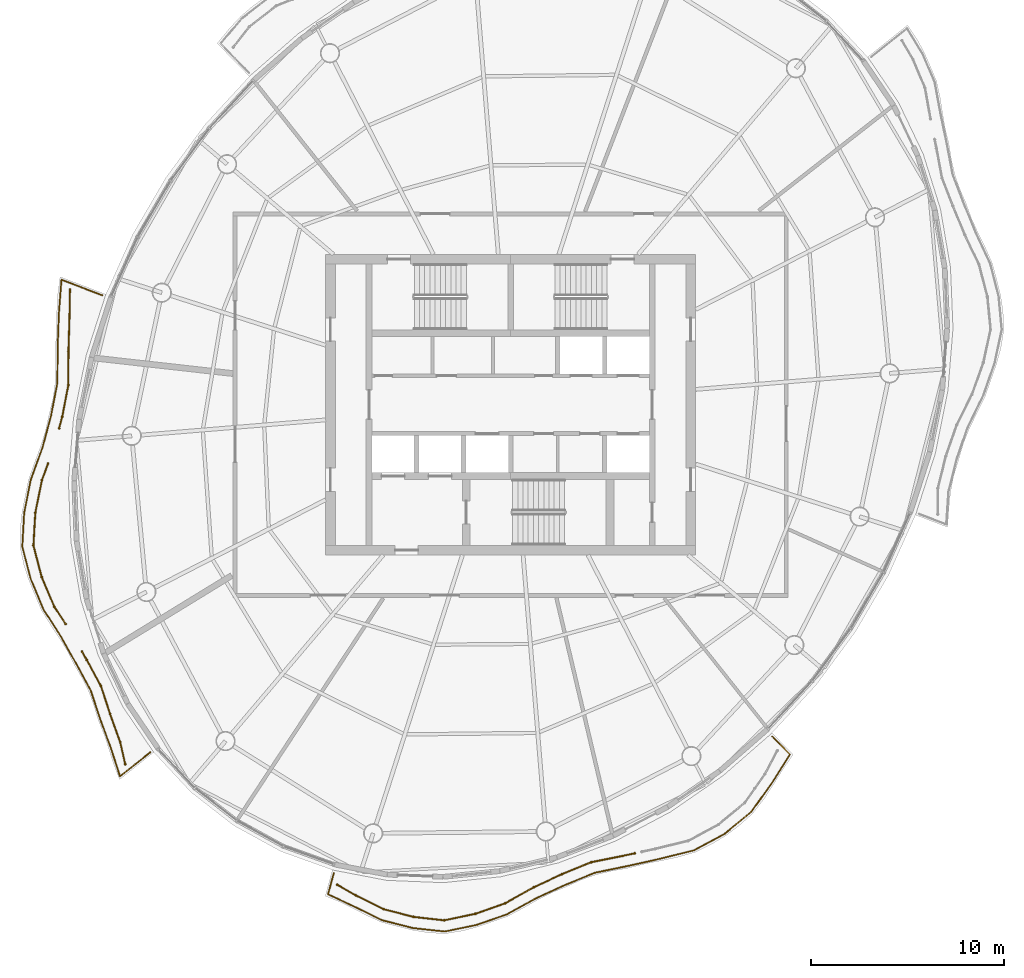
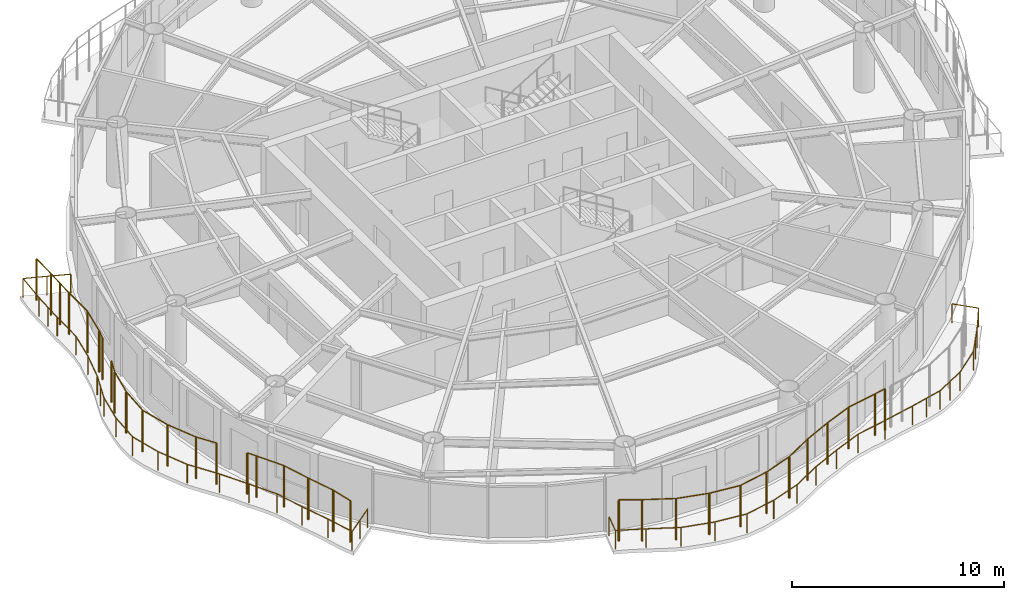
# One storey, part 12 of 15: 6 railings.
"""IFC4 building model written with IfcOpenShell, lengths in metres."""

from ifc_helpers import new_model, si_unit, direction, frame, origin, origin_2d, place, context, subcontext, project, spatial, circle, extrude, material, type_object, element, save


model = new_model("IFC4")

# Units and contexts
model_context = context("Model", 3, precision=1e-05, world=origin(), true_north=direction((0.0, 1.0)))
body_context = subcontext(model_context, "Body", "Model", "MODEL_VIEW")
ifc_project = project(units=[si_unit("LENGTHUNIT", "METRE"), si_unit("AREAUNIT", "SQUARE_METRE"), si_unit("VOLUMEUNIT", "CUBIC_METRE"), si_unit("PLANEANGLEUNIT", "RADIAN"), si_unit("MASSUNIT", "GRAM", prefix="KILO")], contexts=[model_context])

# Site, building, storey
site_placement = place(None, origin())
site = spatial("IfcSite", under=ifc_project, at=site_placement, CompositionType="ELEMENT")
building_placement = place(site_placement, origin())
building = spatial("IfcBuilding", under=site, at=building_placement, Name="Vermilion Reach Broadcast Tower", CompositionType="ELEMENT")
storey_placement = place(building_placement, frame((0.0, 0.0, 261.300048828125)))
storey = spatial("IfcBuildingStorey", under=building, at=storey_placement, Name="L64", CompositionType="ELEMENT", Elevation=261.300048828125)

# Railings
ifc_material_1 = material(Name="Terracotta baguette", Category="masonry")
railing_type_1 = type_object("IfcRailingType", Name="BAGUETTE SCREEN", PredefinedType="USERDEFINED", material=ifc_material_1)
railing_1_placement = place(storey_placement, frame((-28.8701171875, 5.960693359375, 0.0)))
element("IfcRailing", 1, at=railing_1_placement, inside=storey, type_object=railing_type_1, Name="Baguette screen L64 group 2 part 1", ObjectType="BAGUETTE SCREEN", PredefinedType="USERDEFINED", context=body_context, shape_type="SweptSolid", body=[
    extrude(circle(Radius=0.030029296875, at=origin_2d()), frame((0.0, 0.0, 2.369873046875), z_axis=(-0.017190441908, -0.999852233436, 0.0), x_axis=(0.999852233436, -0.017190441908, 0.0)), (0.0, 0.0, 1.0), 1.391845703125),
    extrude(circle(Radius=0.030029296875, at=origin_2d()), frame((-0.02392578125, -1.3916015625, 2.369873046875), z_axis=(-0.030850341871, -0.999524014922, 0.0), x_axis=(0.999524014922, -0.030850341871, 0.0)), (0.0, 0.0, 1.0), 1.804443359375),
    extrude(circle(Radius=0.030029296875, at=origin_2d()), frame((-0.07958984375, -3.195068359375, 2.369873046875), z_axis=(-0.002384284948, -0.999997157589, 0.0), x_axis=(0.999997157589, -0.002384284948, 0.0)), (0.0, 0.0, 1.0), 1.74072265625),
    extrude(circle(Radius=0.030029296875, at=origin_2d()), frame((-0.083740234375, -4.935791015625, 2.369873046875), z_axis=(-0.189077934073, -0.98196208422, 0.0), x_axis=(0.98196208422, -0.189077934073, 0.0)), (0.0, 0.0, 1.0), 1.68896484375),
    extrude(circle(Radius=0.030029296875, at=origin_2d()), frame((-0.403076171875, -6.59423828125, 2.369873046875), z_axis=(-0.260499547419, -0.965473969506, 0.0), x_axis=(0.965473969506, -0.260499547419, 0.0)), (0.0, 0.0, 1.0), 0.61572265625),
    extrude(circle(Radius=0.050048828125, at=origin_2d()), origin(), (0.0, 0.0, 1.0), 2.33984375),
    extrude(circle(Radius=0.050048828125, at=origin_2d()), frame((-0.02392578125, -1.3916015625, 0.0)), (0.0, 0.0, 1.0), 2.33984375),
    extrude(circle(Radius=0.050048828125, at=origin_2d()), frame((-0.0517578125, -2.29345703125, 0.0)), (0.0, 0.0, 1.0), 2.33984375),
    extrude(circle(Radius=0.050048828125, at=origin_2d()), frame((-0.07958984375, -3.195068359375, 0.0)), (0.0, 0.0, 1.0), 2.33984375),
    extrude(circle(Radius=0.050048828125, at=origin_2d()), frame((-0.083740234375, -4.935791015625, 0.0)), (0.0, 0.0, 1.0), 2.33984375),
    extrude(circle(Radius=0.050048828125, at=origin_2d()), frame((-0.403076171875, -6.59423828125, 0.0)), (0.0, 0.0, 1.0), 2.33984375),
    extrude(circle(Radius=0.050048828125, at=origin_2d()), frame((-0.5634765625, -7.188720703125, 0.0)), (0.0, 0.0, 1.0), 2.33984375),
])
railing_2_placement = place(storey_placement, frame((-30.009033203125, -3.06005859375, 0.0)))
element("IfcRailing", 2, at=railing_2_placement, inside=storey, type_object=railing_type_1, Name="Baguette screen L64 group 2 part 2", ObjectType="BAGUETTE SCREEN", PredefinedType="USERDEFINED", context=body_context, shape_type="SweptSolid", body=[
    extrude(circle(Radius=0.030029296875, at=origin_2d()), frame((0.0, 0.0, 2.369873046875), z_axis=(-0.347297007234, -0.937755185945, 0.0), x_axis=(0.937755185945, -0.347297007234, 0.0)), (0.0, 0.0, 1.0), 0.916748046875),
    extrude(circle(Radius=0.030029296875, at=origin_2d()), frame((-0.318359375, -0.859619140625, 2.369873046875), z_axis=(-0.198904178255, -0.980018942609, 0.0), x_axis=(0.980018942609, -0.198904178255, 0.0)), (0.0, 0.0, 1.0), 1.71728515625),
    extrude(circle(Radius=0.030029296875, at=origin_2d()), frame((-0.659912109375, -2.54248046875, 2.369873046875), z_axis=(-0.057163177493, -0.99836484871, 0.0), x_axis=(0.99836484871, -0.057163177493, 0.0)), (0.0, 0.0, 1.0), 1.716796875),
    extrude(circle(Radius=0.030029296875, at=origin_2d()), frame((-0.758056640625, -4.256591796875, 2.369873046875), z_axis=(0.25489499952, -0.966968737457, 0.0), x_axis=(0.966968737457, 0.25489499952, 0.0)), (0.0, 0.0, 1.0), 1.67529296875),
    extrude(circle(Radius=0.030029296875, at=origin_2d()), frame((-0.3310546875, -5.87646484375, 2.369873046875), z_axis=(0.390207352593, -0.920727007306, 0.0), x_axis=(0.920727007306, 0.390207352593, 0.0)), (0.0, 0.0, 1.0), 1.684326171875),
    extrude(circle(Radius=0.030029296875, at=origin_2d()), frame((0.326171875, -7.42724609375, 2.369873046875), z_axis=(0.547427275219, -0.836853259746, 0.0), x_axis=(0.836853259746, 0.547427275219, 0.0)), (0.0, 0.0, 1.0), 1.072021484375),
    extrude(circle(Radius=0.050048828125, at=origin_2d()), origin(), (0.0, 0.0, 1.0), 2.33984375),
    extrude(circle(Radius=0.050048828125, at=origin_2d()), frame((-0.318359375, -0.859619140625, 0.0)), (0.0, 0.0, 1.0), 2.33984375),
    extrude(circle(Radius=0.050048828125, at=origin_2d()), frame((-0.659912109375, -2.54248046875, 0.0)), (0.0, 0.0, 1.0), 2.33984375),
    extrude(circle(Radius=0.050048828125, at=origin_2d()), frame((-0.758056640625, -4.256591796875, 0.0)), (0.0, 0.0, 1.0), 2.33984375),
    extrude(circle(Radius=0.050048828125, at=origin_2d()), frame((-0.3310546875, -5.87646484375, 0.0)), (0.0, 0.0, 1.0), 2.33984375),
    extrude(circle(Radius=0.050048828125, at=origin_2d()), frame((0.326171875, -7.42724609375, 0.0)), (0.0, 0.0, 1.0), 2.33984375),
    extrude(circle(Radius=0.050048828125, at=origin_2d()), frame((0.9130859375, -8.324462890625, 0.0)), (0.0, 0.0, 1.0), 2.33984375),
])
railing_3_placement = place(storey_placement, frame((-28.24560546875, -12.812255859375, 0.0)))
element("IfcRailing", 3, at=railing_3_placement, inside=storey, type_object=railing_type_1, Name="Baguette screen L64 group 2 part 3", ObjectType="BAGUETTE SCREEN", PredefinedType="USERDEFINED", context=body_context, shape_type="SweptSolid", body=[
    extrude(circle(Radius=0.030029296875, at=origin_2d()), frame((0.0, 0.0, 2.369873046875), z_axis=(0.491600217118, -0.870821007171, 0.0), x_axis=(0.870821007171, 0.491600217118, 0.0)), (0.0, 0.0, 1.0), 0.510498046875),
    extrude(circle(Radius=0.030029296875, at=origin_2d()), frame((0.2509765625, -0.444580078125, 2.369873046875), z_axis=(0.478660093693, -0.878000293113, 0.0), x_axis=(0.878000293113, 0.478660093693, 0.0)), (0.0, 0.0, 1.0), 1.514404296875),
    extrude(circle(Radius=0.030029296875, at=origin_2d()), frame((0.975830078125, -1.774169921875, 2.369873046875), z_axis=(0.311790593021, -0.950150843868, 0.0), x_axis=(0.950150843868, 0.311790593021, 0.0)), (0.0, 0.0, 1.0), 1.536376953125),
    extrude(circle(Radius=0.030029296875, at=origin_2d()), frame((1.454833984375, -3.23388671875, 2.369873046875), z_axis=(0.338433313421, -0.940990378467, 0.0), x_axis=(0.940990378467, 0.338433313421, 0.0)), (0.0, 0.0, 1.0), 1.540771484375),
    extrude(circle(Radius=0.030029296875, at=origin_2d()), frame((1.976318359375, -4.683837890625, 2.369873046875), z_axis=(0.224649348086, -0.974439669967, 0.0), x_axis=(0.974439669967, 0.224649348086, 0.0)), (0.0, 0.0, 1.0), 1.187744140625),
    extrude(circle(Radius=0.050048828125, at=origin_2d()), origin(), (0.0, 0.0, 1.0), 2.33984375),
    extrude(circle(Radius=0.050048828125, at=origin_2d()), frame((0.2509765625, -0.444580078125, 0.0)), (0.0, 0.0, 1.0), 2.33984375),
    extrude(circle(Radius=0.050048828125, at=origin_2d()), frame((0.975830078125, -1.774169921875, 0.0)), (0.0, 0.0, 1.0), 2.33984375),
    extrude(circle(Radius=0.050048828125, at=origin_2d()), frame((1.454833984375, -3.23388671875, 0.0)), (0.0, 0.0, 1.0), 2.33984375),
    extrude(circle(Radius=0.050048828125, at=origin_2d()), frame((1.976318359375, -4.683837890625, 0.0)), (0.0, 0.0, 1.0), 2.33984375),
    extrude(circle(Radius=0.050048828125, at=origin_2d()), frame((2.2431640625, -5.84130859375, 0.0)), (0.0, 0.0, 1.0), 2.33984375),
])
railing_4_placement = place(storey_placement, frame((-15.001220703125, -24.911376953125, 0.0)))
element("IfcRailing", 4, at=railing_4_placement, inside=storey, type_object=railing_type_1, Name="Baguette screen L64 group 3 part 1", ObjectType="BAGUETTE SCREEN", PredefinedType="USERDEFINED", context=body_context, shape_type="SweptSolid", body=[
    extrude(circle(Radius=0.030029296875, at=origin_2d()), frame((0.0, 0.0, 2.369873046875), z_axis=(0.867655485012, -0.497165927362, 0.0), x_axis=(0.497165927362, 0.867655485012, 0.0)), (0.0, 0.0, 1.0), 1.1005859375),
    extrude(circle(Radius=0.030029296875, at=origin_2d()), frame((0.954833984375, -0.547119140625, 2.369873046875), z_axis=(0.895064202249, -0.445937298117, 0.0), x_axis=(0.445937298117, 0.895064202249, 0.0)), (0.0, 0.0, 1.0), 1.607421875),
    extrude(circle(Radius=0.030029296875, at=origin_2d()), frame((2.3935546875, -1.263916015625, 2.369873046875), z_axis=(0.967888001894, -0.251381812767, 0.0), x_axis=(0.251381812767, 0.967888001894, 0.0)), (0.0, 0.0, 1.0), 1.614990234375),
    extrude(circle(Radius=0.030029296875, at=origin_2d()), frame((3.956787109375, -1.669921875, 2.369873046875), z_axis=(0.99382070023, -0.110997368411, 0.0), x_axis=(0.110997368411, 0.99382070023, 0.0)), (0.0, 0.0, 1.0), 1.610107421875),
    extrude(circle(Radius=0.030029296875, at=origin_2d()), frame((5.556884765625, -1.8486328125, 2.369873046875), z_axis=(0.978635953151, 0.205600756809, 0.0), x_axis=(-0.205600756809, 0.978635953151, 0.0)), (0.0, 0.0, 1.0), 1.65185546875),
    extrude(circle(Radius=0.030029296875, at=origin_2d()), frame((7.17333984375, -1.509033203125, 2.369873046875), z_axis=(0.942528852485, 0.334124770457, 0.0), x_axis=(-0.334124770457, 0.942528852485, 0.0)), (0.0, 0.0, 1.0), 1.64404296875),
    extrude(circle(Radius=0.030029296875, at=origin_2d()), frame((8.722900390625, -0.959716796875, 2.369873046875), z_axis=(0.872390936985, 0.48880881034, 0.0), x_axis=(-0.48880881034, 0.872390936985, 0.0)), (0.0, 0.0, 1.0), 1.70068359375),
    extrude(circle(Radius=0.030029296875, at=origin_2d()), frame((10.20654296875, -0.12841796875, 2.369873046875), z_axis=(0.907258516501, 0.420573399345, 0.0), x_axis=(-0.420573399345, 0.907258516501, 0.0)), (0.0, 0.0, 1.0), 1.61376953125),
    extrude(circle(Radius=0.030029296875, at=origin_2d()), frame((11.670654296875, 0.55029296875, 2.369873046875), z_axis=(0.925628396239, 0.378433708959, 0.0), x_axis=(-0.378433708959, 0.925628396239, 0.0)), (0.0, 0.0, 1.0), 1.623046875),
    extrude(circle(Radius=0.030029296875, at=origin_2d()), frame((13.173095703125, 1.16455078125, 2.369873046875), z_axis=(0.980353560034, 0.197248313881, 0.0), x_axis=(-0.197248313881, 0.980353560034, 0.0)), (0.0, 0.0, 1.0), 1.658447265625),
    extrude(circle(Radius=0.030029296875, at=origin_2d()), frame((14.799072265625, 1.49169921875, 2.369873046875), z_axis=(0.976978637334, 0.213337156146, 0.0), x_axis=(-0.213337156146, 0.976978637334, 0.0)), (0.0, 0.0, 1.0), 0.647705078125),
    extrude(circle(Radius=0.050048828125, at=origin_2d()), origin(), (0.0, 0.0, 1.0), 2.33984375),
    extrude(circle(Radius=0.050048828125, at=origin_2d()), frame((0.954833984375, -0.547119140625, 0.0)), (0.0, 0.0, 1.0), 2.33984375),
    extrude(circle(Radius=0.050048828125, at=origin_2d()), frame((2.3935546875, -1.263916015625, 0.0)), (0.0, 0.0, 1.0), 2.33984375),
    extrude(circle(Radius=0.050048828125, at=origin_2d()), frame((3.956787109375, -1.669921875, 0.0)), (0.0, 0.0, 1.0), 2.33984375),
    extrude(circle(Radius=0.050048828125, at=origin_2d()), frame((5.556884765625, -1.8486328125, 0.0)), (0.0, 0.0, 1.0), 2.33984375),
    extrude(circle(Radius=0.050048828125, at=origin_2d()), frame((7.17333984375, -1.509033203125, 0.0)), (0.0, 0.0, 1.0), 2.33984375),
    extrude(circle(Radius=0.050048828125, at=origin_2d()), frame((8.722900390625, -0.959716796875, 0.0)), (0.0, 0.0, 1.0), 2.33984375),
    extrude(circle(Radius=0.050048828125, at=origin_2d()), frame((10.20654296875, -0.12841796875, 0.0)), (0.0, 0.0, 1.0), 2.33984375),
    extrude(circle(Radius=0.050048828125, at=origin_2d()), frame((11.670654296875, 0.55029296875, 0.0)), (0.0, 0.0, 1.0), 2.33984375),
    extrude(circle(Radius=0.050048828125, at=origin_2d()), frame((13.173095703125, 1.16455078125, 0.0)), (0.0, 0.0, 1.0), 2.33984375),
    extrude(circle(Radius=0.050048828125, at=origin_2d()), frame((14.799072265625, 1.49169921875, 0.0)), (0.0, 0.0, 1.0), 2.33984375),
    extrude(circle(Radius=0.050048828125, at=origin_2d()), frame((15.431884765625, 1.6298828125, 0.0)), (0.0, 0.0, 1.0), 2.33984375),
])
ifc_material_2 = material(Name="Stainless steel 316 balustrade", Category="steel")
railing_type_2 = type_object("IfcRailingType", Name="Balcony guard 1100", PredefinedType="BALUSTRADE", material=ifc_material_2)
railing_5_placement = place(storey_placement, frame((-27.185302734375, 5.668212890625, 0.0)))
element("IfcRailing", 5, at=railing_5_placement, inside=storey, type_object=railing_type_2, Name="Balcony guard L64 group 2", PredefinedType="BALUSTRADE", context=body_context, shape_type="SweptSolid", body=[
    extrude(circle(Radius=0.02490234375, at=origin_2d()), frame((0.0, 0.0, 1.0751953125), z_axis=(-0.933864374072, 0.357627363101, 0.0), x_axis=(-0.357627363101, -0.933864374072, 0.0)), (0.0, 0.0, 1.0), 2.276123046875),
    extrude(circle(Radius=0.02490234375, at=origin_2d()), frame((-2.12548828125, 0.81396484375, 1.0751953125), z_axis=(-0.077833218244, -0.996966393685, 0.0), x_axis=(0.996966393685, -0.077833218244, 0.0)), (0.0, 0.0, 1.0), 1.740966796875),
    extrude(circle(Radius=0.02490234375, at=origin_2d()), frame((-2.260986328125, -0.921630859375, 1.0751953125), z_axis=(-0.035236221136, -0.999379011547, 0.0), x_axis=(0.999379011547, -0.035236221136, 0.0)), (0.0, 0.0, 1.0), 1.836181640625),
    extrude(circle(Radius=0.02490234375, at=origin_2d()), frame((-2.32568359375, -2.756591796875, 1.0751953125), z_axis=(-0.006472802012, -0.999979051198, 0.0), x_axis=(0.999979051198, -0.006472802012, 0.0)), (0.0, 0.0, 1.0), 1.772705078125),
    extrude(circle(Radius=0.02490234375, at=origin_2d()), frame((-2.337158203125, -4.529296875, 1.0751953125), z_axis=(-0.188642376657, -0.982045851134, 0.0), x_axis=(0.982045851134, -0.188642376657, 0.0)), (0.0, 0.0, 1.0), 1.72265625),
    extrude(circle(Radius=0.02490234375, at=origin_2d()), frame((-2.662109375, -6.220947265625, 1.0751953125), z_axis=(-0.257892707615, -0.966173561716, 0.0), x_axis=(0.966173561716, -0.257892707615, 0.0)), (0.0, 0.0, 1.0), 1.71728515625),
    extrude(circle(Radius=0.02490234375, at=origin_2d()), frame((-3.10498046875, -7.880126953125, 1.0751953125), z_axis=(-0.341960274404, -0.939714409132, 0.0), x_axis=(0.939714409132, -0.341960274404, 0.0)), (0.0, 0.0, 1.0), 1.804931640625),
    extrude(circle(Radius=0.02490234375, at=origin_2d()), frame((-3.72216796875, -9.576171875, 1.0751953125), z_axis=(-0.194695459768, -0.980863740764, 0.0), x_axis=(0.980863740764, -0.194695459768, 0.0)), (0.0, 0.0, 1.0), 1.751708984375),
    extrude(circle(Radius=0.02490234375, at=origin_2d()), frame((-4.063232421875, -11.29443359375, 1.0751953125), z_axis=(-0.054429164231, -0.998517634337, 0.0), x_axis=(0.998517634337, -0.054429164231, 0.0)), (0.0, 0.0, 1.0), 1.75390625),
    extrude(circle(Radius=0.02490234375, at=origin_2d()), frame((-4.15869140625, -13.045654296875, 1.0751953125), z_axis=(0.252520570693, -0.967591526098, 0.0), x_axis=(0.967591526098, 0.252520570693, 0.0)), (0.0, 0.0, 1.0), 1.712158203125),
    extrude(circle(Radius=0.02490234375, at=origin_2d()), frame((-3.726318359375, -14.702392578125, 1.0751953125), z_axis=(0.386053952647, -0.922476203295, 0.0), x_axis=(0.922476203295, 0.386053952647, 0.0)), (0.0, 0.0, 1.0), 1.72265625),
    extrude(circle(Radius=0.02490234375, at=origin_2d()), frame((-3.061279296875, -16.29150390625, 1.0751953125), z_axis=(0.541432822982, -0.840744014667, 0.0), x_axis=(0.840744014667, 0.541432822982, 0.0)), (0.0, 0.0, 1.0), 1.698974609375),
    extrude(circle(Radius=0.02490234375, at=origin_2d()), frame((-2.141357421875, -17.719970703125, 1.0751953125), z_axis=(0.487925792593, -0.872885113244, 0.0), x_axis=(0.872885113244, 0.487925792593, 0.0)), (0.0, 0.0, 1.0), 1.624267578125),
    extrude(circle(Radius=0.02490234375, at=origin_2d()), frame((-1.348876953125, -19.1376953125, 1.0751953125), z_axis=(0.476596557089, -0.879122131317, 0.0), x_axis=(0.879122131317, 0.476596557089, 0.0)), (0.0, 0.0, 1.0), 1.5556640625),
    extrude(circle(Radius=0.02490234375, at=origin_2d()), frame((-0.607421875, -20.50537109375, 1.0751953125), z_axis=(0.316088584666, -0.948729680491, 0.0), x_axis=(0.948729680491, 0.316088584666, 0.0)), (0.0, 0.0, 1.0), 1.578857421875),
    extrude(circle(Radius=0.02490234375, at=origin_2d()), frame((-0.1083984375, -22.003173828125, 1.0751953125), z_axis=(0.343846862697, -0.939025737141, 0.0), x_axis=(0.939025737141, 0.343846862697, 0.0)), (0.0, 0.0, 1.0), 1.583251953125),
    extrude(circle(Radius=0.02490234375, at=origin_2d()), frame((0.43603515625, -23.489990234375, 1.0751953125), z_axis=(0.310191633013, -0.950674050771, 0.0), x_axis=(0.950674050771, 0.310191633013, 0.0)), (0.0, 0.0, 1.0), 1.542724609375),
    extrude(circle(Radius=0.02490234375, at=origin_2d()), frame((0.91455078125, -24.95654296875, 1.0751953125), z_axis=(0.781879311066, 0.623429821975, 0.0), x_axis=(-0.623429821975, 0.781879311066, 0.0)), (0.0, 0.0, 1.0), 2.00146484375),
    extrude(circle(Radius=0.02490234375, at=origin_2d()), origin(), (0.0, 0.0, 1.0), 1.050048828125),
    extrude(circle(Radius=0.02490234375, at=origin_2d()), frame((-1.062744140625, 0.406982421875, 0.0)), (0.0, 0.0, 1.0), 1.050048828125),
    extrude(circle(Radius=0.02490234375, at=origin_2d()), frame((-2.12548828125, 0.81396484375, 0.0)), (0.0, 0.0, 1.0), 1.050048828125),
    extrude(circle(Radius=0.02490234375, at=origin_2d()), frame((-2.260986328125, -0.921630859375, 0.0)), (0.0, 0.0, 1.0), 1.050048828125),
    extrude(circle(Radius=0.02490234375, at=origin_2d()), frame((-2.29345703125, -1.839111328125, 0.0)), (0.0, 0.0, 1.0), 1.050048828125),
    extrude(circle(Radius=0.02490234375, at=origin_2d()), frame((-2.32568359375, -2.756591796875, 0.0)), (0.0, 0.0, 1.0), 1.050048828125),
    extrude(circle(Radius=0.02490234375, at=origin_2d()), frame((-2.337158203125, -4.529296875, 0.0)), (0.0, 0.0, 1.0), 1.050048828125),
    extrude(circle(Radius=0.02490234375, at=origin_2d()), frame((-2.662109375, -6.220947265625, 0.0)), (0.0, 0.0, 1.0), 1.050048828125),
    extrude(circle(Radius=0.02490234375, at=origin_2d()), frame((-3.10498046875, -7.880126953125, 0.0)), (0.0, 0.0, 1.0), 1.050048828125),
    extrude(circle(Radius=0.02490234375, at=origin_2d()), frame((-3.41357421875, -8.72802734375, 0.0)), (0.0, 0.0, 1.0), 1.050048828125),
    extrude(circle(Radius=0.02490234375, at=origin_2d()), frame((-3.72216796875, -9.576171875, 0.0)), (0.0, 0.0, 1.0), 1.050048828125),
    extrude(circle(Radius=0.02490234375, at=origin_2d()), frame((-4.063232421875, -11.29443359375, 0.0)), (0.0, 0.0, 1.0), 1.050048828125),
    extrude(circle(Radius=0.02490234375, at=origin_2d()), frame((-4.15869140625, -13.045654296875, 0.0)), (0.0, 0.0, 1.0), 1.050048828125),
    extrude(circle(Radius=0.02490234375, at=origin_2d()), frame((-3.726318359375, -14.702392578125, 0.0)), (0.0, 0.0, 1.0), 1.050048828125),
    extrude(circle(Radius=0.02490234375, at=origin_2d()), frame((-3.061279296875, -16.29150390625, 0.0)), (0.0, 0.0, 1.0), 1.050048828125),
    extrude(circle(Radius=0.02490234375, at=origin_2d()), frame((-2.141357421875, -17.719970703125, 0.0)), (0.0, 0.0, 1.0), 1.050048828125),
    extrude(circle(Radius=0.02490234375, at=origin_2d()), frame((-1.348876953125, -19.1376953125, 0.0)), (0.0, 0.0, 1.0), 1.050048828125),
    extrude(circle(Radius=0.02490234375, at=origin_2d()), frame((-0.607421875, -20.50537109375, 0.0)), (0.0, 0.0, 1.0), 1.050048828125),
    extrude(circle(Radius=0.02490234375, at=origin_2d()), frame((-0.1083984375, -22.003173828125, 0.0)), (0.0, 0.0, 1.0), 1.050048828125),
    extrude(circle(Radius=0.02490234375, at=origin_2d()), frame((0.43603515625, -23.489990234375, 0.0)), (0.0, 0.0, 1.0), 1.050048828125),
    extrude(circle(Radius=0.02490234375, at=origin_2d()), frame((0.91455078125, -24.95654296875, 0.0)), (0.0, 0.0, 1.0), 1.050048828125),
    extrude(circle(Radius=0.02490234375, at=origin_2d()), frame((1.697021484375, -24.33251953125, 0.0)), (0.0, 0.0, 1.0), 1.050048828125),
    extrude(circle(Radius=0.02490234375, at=origin_2d()), frame((2.4794921875, -23.708740234375, 0.0)), (0.0, 0.0, 1.0), 1.050048828125),
])
railing_6_placement = place(storey_placement, frame((-15.1787109375, -24.31298828125, 0.0)))
element("IfcRailing", 6, at=railing_6_placement, inside=storey, type_object=railing_type_2, Name="Balcony guard L64 group 3", PredefinedType="BALUSTRADE", context=body_context, shape_type="SweptSolid", body=[
    extrude(circle(Radius=0.02490234375, at=origin_2d()), frame((0.0, 0.0, 1.0751953125), z_axis=(-0.263717501916, -0.964599958109, 0.0), x_axis=(0.964599958109, -0.263717501916, 0.0)), (0.0, 0.0, 1.0), 1.135986328125),
    extrude(circle(Radius=0.02490234375, at=origin_2d()), frame((-0.299560546875, -1.095703125, 1.0751953125), z_axis=(0.905631500406, -0.424065543841, 0.0), x_axis=(0.424065543841, 0.905631500406, 0.0)), (0.0, 0.0, 1.0), 1.460693359375),
    extrude(circle(Radius=0.02490234375, at=origin_2d()), frame((1.023193359375, -1.715087890625, 1.0751953125), z_axis=(0.898564799597, -0.438840860591, 0.0), x_axis=(0.438840860591, 0.898564799597, 0.0)), (0.0, 0.0, 1.0), 1.6484375),
    extrude(circle(Radius=0.02490234375, at=origin_2d()), frame((2.50439453125, -2.4384765625, 1.0751953125), z_axis=(0.96902351963, -0.246968456295, 0.0), x_axis=(0.246968456295, 0.96902351963, 0.0)), (0.0, 0.0, 1.0), 1.65771484375),
    extrude(circle(Radius=0.02490234375, at=origin_2d()), frame((4.11083984375, -2.847900390625, 1.0751953125), z_axis=(0.994108841056, -0.108386401977, 0.0), x_axis=(0.108386401977, 0.994108841056, 0.0)), (0.0, 0.0, 1.0), 1.651123046875),
    extrude(circle(Radius=0.02490234375, at=origin_2d()), frame((5.752197265625, -3.02685546875, 1.0751953125), z_axis=(0.979306777233, 0.202381412352, 0.0), x_axis=(-0.202381412352, 0.979306777233, 0.0)), (0.0, 0.0, 1.0), 1.6923828125),
    extrude(circle(Radius=0.02490234375, at=origin_2d()), frame((7.40966796875, -2.684326171875, 1.0751953125), z_axis=(0.944104650591, 0.329645883839, 0.0), x_axis=(-0.329645883839, 0.944104650591, 0.0)), (0.0, 0.0, 1.0), 1.6826171875),
    extrude(circle(Radius=0.02490234375, at=origin_2d()), frame((8.998291015625, -2.129638671875, 1.0751953125), z_axis=(0.875723113752, 0.482813657678, 0.0), x_axis=(-0.482813657678, 0.875723113752, 0.0)), (0.0, 0.0, 1.0), 1.738037109375),
    extrude(circle(Radius=0.02490234375, at=origin_2d()), frame((10.520263671875, -1.29052734375, 1.0751953125), z_axis=(0.908784493096, 0.417265796716, 0.0), x_axis=(-0.417265796716, 0.908784493096, 0.0)), (0.0, 0.0, 1.0), 1.650634765625),
    extrude(circle(Radius=0.02490234375, at=origin_2d()), frame((12.020263671875, -0.601806640625, 1.0751953125), z_axis=(0.926136123257, 0.377189450009, 0.0), x_axis=(-0.377189450009, 0.926136123257, 0.0)), (0.0, 0.0, 1.0), 1.66015625),
    extrude(circle(Radius=0.02490234375, at=origin_2d()), frame((13.557861328125, 0.0244140625, 1.0751953125), z_axis=(0.979529855594, 0.201298936907, 0.0), x_axis=(-0.201298936907, 0.979529855594, 0.0)), (0.0, 0.0, 1.0), 1.693115234375),
    extrude(circle(Radius=0.02490234375, at=origin_2d()), frame((15.21630859375, 0.365234375, 1.0751953125), z_axis=(0.975953065782, 0.21798076381, 0.0), x_axis=(-0.21798076381, 0.975953065782, 0.0)), (0.0, 0.0, 1.0), 1.77197265625),
    extrude(circle(Radius=0.02490234375, at=origin_2d()), frame((16.945556640625, 0.75146484375, 1.0751953125), z_axis=(0.970292951315, 0.241933025088, 0.0), x_axis=(-0.241933025088, 0.970292951315, 0.0)), (0.0, 0.0, 1.0), 1.811279296875),
    extrude(circle(Radius=0.02490234375, at=origin_2d()), frame((18.703125, 1.189697265625, 1.0751953125), z_axis=(0.87925412729, 0.476352998987, 0.0), x_axis=(-0.476352998987, 0.87925412729, 0.0)), (0.0, 0.0, 1.0), 1.801513671875),
    extrude(circle(Radius=0.02490234375, at=origin_2d()), frame((20.287109375, 2.0478515625, 1.0751953125), z_axis=(0.770857200201, 0.637007988096, 0.0), x_axis=(-0.637007988096, 0.770857200201, 0.0)), (0.0, 0.0, 1.0), 1.794921875),
    extrude(circle(Radius=0.02490234375, at=origin_2d()), frame((21.670654296875, 3.191162109375, 1.0751953125), z_axis=(0.579888619771, 0.814695764479, 0.0), x_axis=(-0.814695764479, 0.579888619771, 0.0)), (0.0, 0.0, 1.0), 1.866455078125),
    extrude(circle(Radius=0.02490234375, at=origin_2d()), frame((22.7529296875, 4.711669921875, 1.0751953125), z_axis=(0.533531576244, 0.845780147054, 0.0), x_axis=(-0.845780147054, 0.533531576244, 0.0)), (0.0, 0.0, 1.0), 1.71240234375),
    extrude(circle(Radius=0.02490234375, at=origin_2d()), frame((23.66650390625, 6.159912109375, 1.0751953125), z_axis=(-0.697667351225, 0.716421849914, 0.0), x_axis=(-0.716421849914, -0.697667351225, 0.0)), (0.0, 0.0, 1.0), 1.3017578125),
    extrude(circle(Radius=0.02490234375, at=origin_2d()), origin(), (0.0, 0.0, 1.0), 1.050048828125),
    extrude(circle(Radius=0.02490234375, at=origin_2d()), frame((-0.299560546875, -1.095703125, 0.0)), (0.0, 0.0, 1.0), 1.050048828125),
    extrude(circle(Radius=0.02490234375, at=origin_2d()), frame((1.023193359375, -1.715087890625, 0.0)), (0.0, 0.0, 1.0), 1.050048828125),
    extrude(circle(Radius=0.02490234375, at=origin_2d()), frame((2.50439453125, -2.4384765625, 0.0)), (0.0, 0.0, 1.0), 1.050048828125),
    extrude(circle(Radius=0.02490234375, at=origin_2d()), frame((4.11083984375, -2.847900390625, 0.0)), (0.0, 0.0, 1.0), 1.050048828125),
    extrude(circle(Radius=0.02490234375, at=origin_2d()), frame((5.752197265625, -3.02685546875, 0.0)), (0.0, 0.0, 1.0), 1.050048828125),
    extrude(circle(Radius=0.02490234375, at=origin_2d()), frame((7.40966796875, -2.684326171875, 0.0)), (0.0, 0.0, 1.0), 1.050048828125),
    extrude(circle(Radius=0.02490234375, at=origin_2d()), frame((8.998291015625, -2.129638671875, 0.0)), (0.0, 0.0, 1.0), 1.050048828125),
    extrude(circle(Radius=0.02490234375, at=origin_2d()), frame((10.520263671875, -1.29052734375, 0.0)), (0.0, 0.0, 1.0), 1.050048828125),
    extrude(circle(Radius=0.02490234375, at=origin_2d()), frame((12.020263671875, -0.601806640625, 0.0)), (0.0, 0.0, 1.0), 1.050048828125),
    extrude(circle(Radius=0.02490234375, at=origin_2d()), frame((13.557861328125, 0.0244140625, 0.0)), (0.0, 0.0, 1.0), 1.050048828125),
    extrude(circle(Radius=0.02490234375, at=origin_2d()), frame((15.21630859375, 0.365234375, 0.0)), (0.0, 0.0, 1.0), 1.050048828125),
    extrude(circle(Radius=0.02490234375, at=origin_2d()), frame((16.945556640625, 0.75146484375, 0.0)), (0.0, 0.0, 1.0), 1.050048828125),
    extrude(circle(Radius=0.02490234375, at=origin_2d()), frame((17.82421875, 0.970703125, 0.0)), (0.0, 0.0, 1.0), 1.050048828125),
    extrude(circle(Radius=0.02490234375, at=origin_2d()), frame((18.703125, 1.189697265625, 0.0)), (0.0, 0.0, 1.0), 1.050048828125),
    extrude(circle(Radius=0.02490234375, at=origin_2d()), frame((19.4951171875, 1.61865234375, 0.0)), (0.0, 0.0, 1.0), 1.050048828125),
    extrude(circle(Radius=0.02490234375, at=origin_2d()), frame((20.287109375, 2.0478515625, 0.0)), (0.0, 0.0, 1.0), 1.050048828125),
    extrude(circle(Radius=0.02490234375, at=origin_2d()), frame((21.670654296875, 3.191162109375, 0.0)), (0.0, 0.0, 1.0), 1.050048828125),
    extrude(circle(Radius=0.02490234375, at=origin_2d()), frame((22.2119140625, 3.951416015625, 0.0)), (0.0, 0.0, 1.0), 1.050048828125),
    extrude(circle(Radius=0.02490234375, at=origin_2d()), frame((22.7529296875, 4.711669921875, 0.0)), (0.0, 0.0, 1.0), 1.050048828125),
    extrude(circle(Radius=0.02490234375, at=origin_2d()), frame((23.66650390625, 6.159912109375, 0.0)), (0.0, 0.0, 1.0), 1.050048828125),
    extrude(circle(Radius=0.02490234375, at=origin_2d()), frame((22.75830078125, 7.092529296875, 0.0)), (0.0, 0.0, 1.0), 1.050048828125),
])

save(model, "model.ifc")
